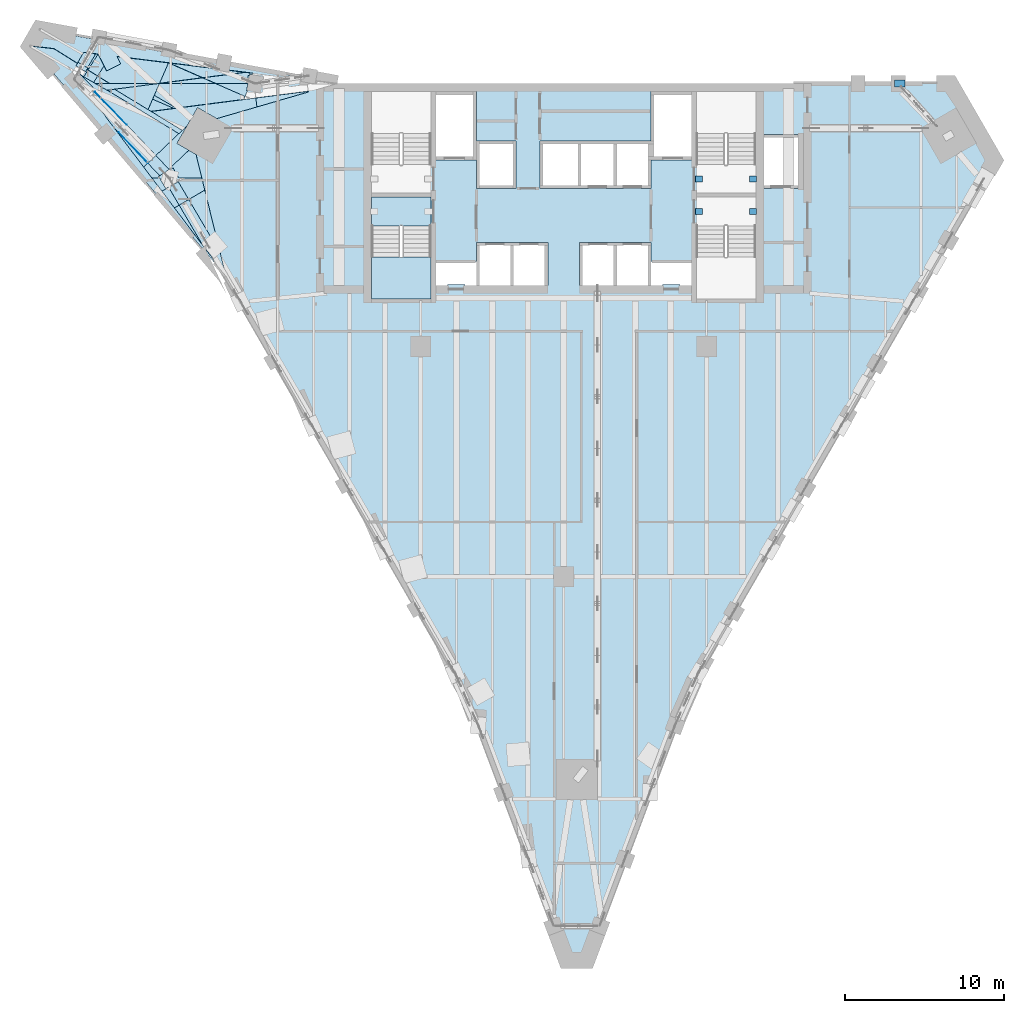
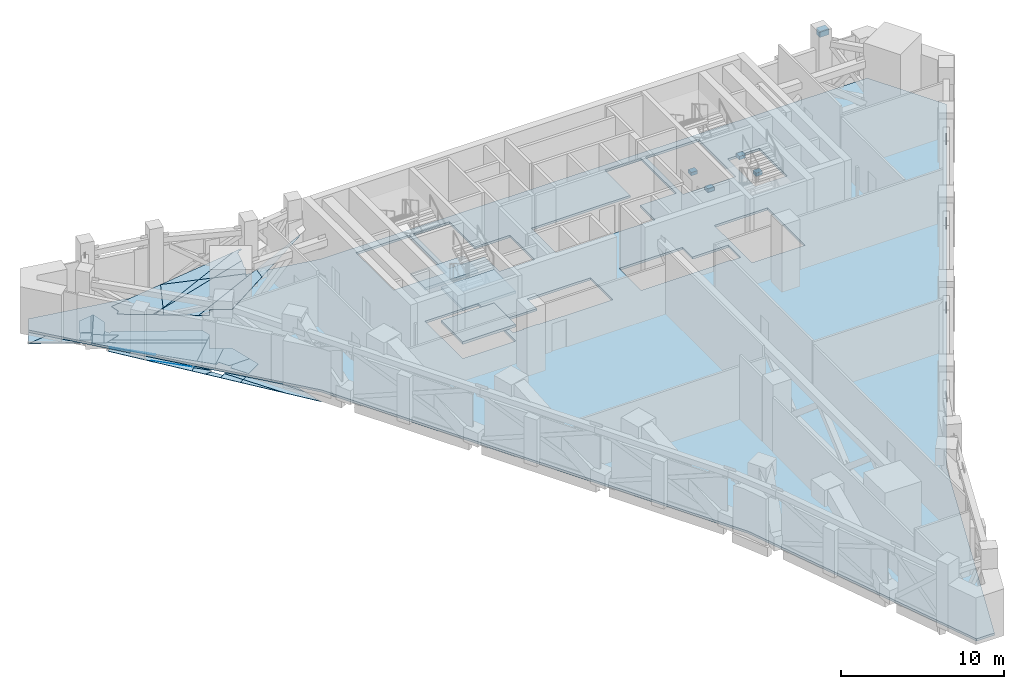
# One storey, part 7 of 22: 37 plates, 5 beams, 4 slabs, 1 element without a shape of its own.
"""IFC4 building model written with IfcOpenShell, lengths in metres."""

from ifc_helpers import new_model, si_unit, direction, frame, origin, origin_2d, place, context, subcontext, project, spatial, polyline, rectangle, outline, extrude, material, layer, layer_set, material_profile, profile_set, type_object, element, aggregate, save


model = new_model("IFC4")

# Units and contexts
model_context = context("Model", 3, precision=1e-05, world=origin(), true_north=direction((0.0, 1.0)))
body_context = subcontext(model_context, "Body", "Model", "MODEL_VIEW")
ifc_project = project(units=[si_unit("LENGTHUNIT", "METRE"), si_unit("AREAUNIT", "SQUARE_METRE"), si_unit("VOLUMEUNIT", "CUBIC_METRE"), si_unit("PLANEANGLEUNIT", "RADIAN"), si_unit("MASSUNIT", "GRAM", prefix="KILO")], contexts=[model_context])

# Site, building, storey
site_placement = place(None, origin())
site = spatial("IfcSite", under=ifc_project, at=site_placement, CompositionType="ELEMENT")
building_placement = place(site_placement, origin())
building = spatial("IfcBuilding", under=site, at=building_placement, Name="Calabash Gate Tower", CompositionType="ELEMENT")
storey_placement = place(building_placement, frame((0.0, 0.0, 191.39990234375)))
storey = spatial("IfcBuildingStorey", under=building, at=storey_placement, Name="L45", CompositionType="ELEMENT", Elevation=191.39990234375)

# Beams
ifc_material_1 = material(Name="Concrete C80/95", Category="concrete")
ifc_material_profile_1 = material_profile(ifc_material_1, rectangle(XDim=0.449951171875, YDim=0.449951171875, at=origin_2d()))
ifc_profile_set_1 = profile_set([ifc_material_profile_1], Name="Concrete C80/95")
beam_type_1 = type_object("IfcBeamType", Name="Column offset link RC 450x450 Concrete C80/95", PredefinedType="BEAM", material=ifc_profile_set_1)
beam_placement = place(storey_placement, frame((20.847900390625, 19.052978515625, 4.60400390625), z_axis=(1.0, 0.0, 0.0), x_axis=(0.0, 1.0, 0.0)))
element("IfcBeam", 1, at=beam_placement, inside=storey, type_object=beam_type_1, Name="Column offset link L45 P24", PredefinedType="BEAM", context=body_context, shape_type="SweptSolid", body=[
    extrude(rectangle(XDim=0.449951171875, YDim=0.449951171875, at=origin_2d()), origin(), (0.0, 0.0, 1.0), 0.630126953125),
])
ifc_material_2 = material(Name="Concrete C60/75", Category="concrete")
ifc_material_profile_2 = material_profile(ifc_material_2, rectangle(XDim=0.39990234375, YDim=0.25, at=origin_2d()))
ifc_profile_set_2 = profile_set([ifc_material_profile_2], Name="Concrete C60/75")
beam_type_2 = type_object("IfcBeamType", Name="Landing corbel RC 400x250 Concrete C60/75", PredefinedType="BEAM", material=ifc_profile_set_2)
for number, where, z_axis, x_axis, name in (
    (2, (8.300048828125, 13.052978515625, 2.174072265625), (1.0, 0.0, 0.0), (0.0, 1.0, 0.0), "Landing corbel ST3-L45/L2 west"),
    (3, (12.14990234375, 13.052978515625, 2.174072265625), (-1.0, 0.0, 0.0), (0.0, -1.0, 0.0), "Landing corbel ST3-L45/L2 east"),
    (4, (8.300048828125, 11.0029296875, 2.174072265625), (1.0, 0.0, 0.0), (0.0, 1.0, 0.0), "Landing corbel ST4-L45/L2 west"),
    (5, (12.14990234375, 11.0029296875, 2.174072265625), (-1.0, 0.0, 0.0), (0.0, -1.0, 0.0), "Landing corbel ST4-L45/L2 east"),
):
    element("IfcBeam", number, at=place(storey_placement, frame(where, z_axis=z_axis, x_axis=x_axis)), inside=storey, type_object=beam_type_2, Name=name, PredefinedType="BEAM", context=body_context, shape_type="SweptSolid", body=[
        extrude(rectangle(XDim=0.39990234375, YDim=0.25, at=origin_2d()), origin(), (0.0, 0.0, 1.0), 0.449951171875),
    ])

# Slab
ifc_material_3 = material(Name="Concrete C40/50", Category="concrete")
ifc_layer_1 = layer(ifc_material_3, 0.169921875)
ifc_layer_set_1 = layer_set([ifc_layer_1], Name="Composite floor slab 170 Concrete C40/50")
slab_type_1 = type_object("IfcSlabType", Name="Composite floor slab 170 Concrete C40/50", PredefinedType="FLOOR", material=ifc_layer_set_1)
slab_1_placement = place(storey_placement, frame((0.0, 0.0, -0.169921875)))
element("IfcSlab", 6, at=slab_1_placement, inside=storey, type_object=slab_type_1, Name="Floor slab L45", PredefinedType="FLOOR", context=body_context, shape_type="SweptSolid", body=[
    extrude(outline(polyline([(7.82177734375, -19.207763671875), (1.455078125, -36.147216796875), (0.1884765625, -36.147216796875), (-6.17822265625, -19.207763671875), (-21.267822265625, 6.92822265625), (-33.59716796875, 21.43115234375), (-32.992431640625, 22.478515625), (-14.267822265625, 19.052490234375), (24.33154296875, 19.052490234375), (27.12158203125, 14.22021484375), (7.82177734375, -19.207763671875)]), holes=[polyline([(-3.25, 9.052490234375), (-5.5, 9.052490234375), (-5.5, 7.8525390625), (-8.050048828125, 7.8525390625), (-8.050048828125, 6.3525390625), (-7.324951171875, 6.3525390625), (-7.324951171875, 6.402587890625), (-6.22509765625, 6.402587890625), (-6.22509765625, 6.3525390625), (-5.5, 6.3525390625), (-3.25, 6.3525390625), (-1.0, 6.3525390625), (-1.0, 9.052490234375), (-3.25, 9.052490234375)]), polyline([(5.5, 6.3525390625), (6.22509765625, 6.3525390625), (6.22509765625, 6.402587890625), (7.324951171875, 6.402587890625), (7.324951171875, 6.3525390625), (8.050048828125, 6.3525390625), (8.050048828125, 7.8525390625), (5.5, 7.8525390625), (5.5, 9.052490234375), (3.25, 9.052490234375), (1.0, 9.052490234375), (1.0, 6.3525390625), (3.25, 6.3525390625), (5.5, 6.3525390625)]), polyline([(-5.5, 12.45263671875), (-3.0, 12.45263671875), (-3.0, 15.45263671875), (-5.5, 15.45263671875), (-5.5, 18.552490234375), (-8.050048828125, 18.552490234375), (-8.050048828125, 14.252685546875), (-5.5, 14.252685546875), (-5.5, 12.45263671875)]), polyline([(-1.5, 15.45263671875), (-1.5, 12.45263671875), (1.0, 12.45263671875), (3.25, 12.45263671875), (5.5, 12.45263671875), (5.5, 14.252685546875), (8.050048828125, 14.252685546875), (8.050048828125, 18.552490234375), (5.5, 18.552490234375), (5.5, 15.45263671875), (3.25, 15.45263671875), (1.0, 15.45263671875), (-1.5, 15.45263671875)]), polyline([(14.85009765625, 15.8525390625), (12.60009765625, 15.8525390625), (12.60009765625, 12.45263671875), (14.85009765625, 12.45263671875), (14.85009765625, 15.8525390625)]), polyline([(-8.35009765625, 18.552490234375), (-12.10009765625, 18.552490234375), (-12.10009765625, 13.95263671875), (-8.35009765625, 13.95263671875), (-8.35009765625, 18.552490234375)]), polyline([(-12.10009765625, 10.1025390625), (-12.10009765625, 5.502685546875), (-8.35009765625, 5.502685546875), (-8.35009765625, 10.1025390625), (-12.10009765625, 10.1025390625)]), polyline([(8.35009765625, 13.95263671875), (12.10009765625, 13.95263671875), (12.10009765625, 18.552490234375), (8.35009765625, 18.552490234375), (8.35009765625, 13.95263671875)]), polyline([(12.10009765625, 5.502685546875), (12.10009765625, 10.1025390625), (8.35009765625, 10.1025390625), (8.35009765625, 5.502685546875), (12.10009765625, 5.502685546875)])]), origin(), (0.0, 0.0, 1.0), 0.169921875),
])

# Plates
ifc_material_4 = material(Name="Dark tinted laminated glass", Category="glass")
ifc_layer_2 = layer(ifc_material_4, 0.030029296875)
ifc_layer_set_2 = layer_set([ifc_layer_2], Name="Dark glass soffit plate 30")
plate_type_1 = type_object("IfcPlateType", Name="Dark glass soffit plate 30", PredefinedType="SHEET", material=ifc_layer_set_2)
plate_1_placement = place(storey_placement, frame((-30.302001953125, 19.4970703125, -0.98291015625), z_axis=(-0.018915126587, -0.004510875591, 0.999810917118), x_axis=(0.521129470374, 0.853367524215, 0.013709256822)))
element("IfcPlate", 7, at=plate_1_placement, inside=storey, type_object=plate_type_1, Name="Dark glass soffit SOF-Z4-NW-01", PredefinedType="SHEET", context=body_context, shape_type="SweptSolid", body=[
    extrude(outline(polyline([(0.0, 0.0), (0.074951171875, 0.0), (0.098876953125, -7.052490234375), (-1.830078125, -6.532470703125), (-0.34814453125, -1.03173828125), (-0.274169921875, -1.051025390625), (0.0, 0.0)])), origin(), (0.0, 0.0, -1.0), 0.030029296875),
])
plate_2_placement = place(storey_placement, frame((-21.902099609375, 19.052978515625, 1.24609375), z_axis=(-0.253554206173, -0.414824148331, 0.873859937572), x_axis=(0.913621310944, -0.399504909873, 0.075444861829)))
element("IfcPlate", 8, at=plate_2_placement, inside=storey, type_object=plate_type_1, Name="Dark glass soffit SOF-Z4-NW-02", PredefinedType="SHEET", context=body_context, shape_type="SweptSolid", body=[
    extrude(outline(polyline([(0.0, 0.0), (2.011962890625, 0.0), (2.0029296875, -0.248046875), (-3.4091796875, -3.8515625), (-3.327392578125, -1.6259765625), (0.0, 0.0)])), origin(), (0.0, 0.0, -1.0), 0.030029296875),
])
plate_3_placement = place(storey_placement, frame((-28.922119140625, 20.12890625, -0.953857421875), z_axis=(-0.019007347876, -0.004643791007, 0.999808559641), x_axis=(0.448792625426, -0.893625191456, 0.004381387703)))
element("IfcPlate", 9, at=plate_3_placement, inside=storey, type_object=plate_type_1, Name="Dark glass soffit SOF-Z4-NW-03", PredefinedType="SHEET", context=body_context, shape_type="SweptSolid", body=[
    extrude(outline(polyline([(0.0, 0.0), (0.314453125, 0.0), (0.31396484375, 0.206298828125), (4.9609375, 3.262451171875), (5.577392578125, 3.121826171875), (5.673583984375, 2.974853515625), (5.792236328125, 2.5830078125), (-0.248291015625, -1.20703125), (-0.7119140625, -0.46826171875), (0.0, 0.0)])), origin(), (0.0, 0.0, -1.0), 0.030029296875),
])
plate_4_placement = place(storey_placement, frame((-23.781005859375, 17.159912109375, -0.869873046875), z_axis=(-0.012267428915, 0.006966819933, 0.999900481852), x_axis=(-0.916870292242, 0.398938682013, -0.014028371174)))
element("IfcPlate", 10, at=plate_4_placement, inside=storey, type_object=plate_type_1, Name="Dark glass soffit SOF-Z4-NW-04", PredefinedType="SHEET", context=body_context, shape_type="SweptSolid", body=[
    extrude(outline(polyline([(0.0, 0.0), (10.705810546875, 0.0), (10.5693359375, -1.202392578125), (5.8994140625, -0.671142578125), (5.65771484375, -0.469970703125), (5.526123046875, -0.628662109375), (0.0, 0.0)])), origin(), (0.0, 0.0, -1.0), 0.030029296875),
])
plate_5_placement = place(storey_placement, frame((-28.118896484375, 20.757080078125, 0.25), z_axis=(-0.253636091443, -0.414570380532, 0.873956596579), x_axis=(0.967238247016, -0.118883006558, 0.224314520844)))
element("IfcPlate", 11, at=plate_5_placement, inside=storey, type_object=plate_type_1, Name="Dark glass soffit SOF-Z4-NW-05", PredefinedType="SHEET", context=body_context, shape_type="SweptSolid", body=[
    extrude(outline(polyline([(0.0, 0.0), (3.33935546875, 0.0), (3.340576171875, -0.0009765625), (2.7744140625, -1.50634765625), (-0.47119140625, -1.950927734375), (-1.255615234375, -1.52978515625), (-0.845703125, -0.7587890625), (-0.672119140625, -1.095947265625), (0.244140625, -0.4775390625), (0.0, 0.0)])), origin(), (0.0, 0.0, -1.0), 0.030029296875),
])
plate_6_placement = place(storey_placement, frame((-21.85107421875, 16.84912109375, 0.215087890625), z_axis=(-0.253653647636, -0.414842051445, 0.873822578899), x_axis=(-0.865795390743, 0.500206378757, -0.013853520097)))
element("IfcPlate", 12, at=plate_6_placement, inside=storey, type_object=plate_type_1, Name="Dark glass soffit SOF-Z4-NW-06", PredefinedType="SHEET", context=body_context, shape_type="SweptSolid", body=[
    extrude(outline(polyline([(0.0, 0.0), (1.38916015625, 0.0), (1.399658203125, 1.657958984375), (1.8408203125, 2.179931640625), (4.11767578125, 2.180908203125), (-1.500732421875, -2.69775390625), (-1.84228515625, -2.181884765625), (0.0, 0.0)])), origin(), (0.0, 0.0, -1.0), 0.030029296875),
])
plate_7_placement = place(storey_placement, frame((-25.681884765625, 14.530029296875, -0.91796875), z_axis=(-0.01922738157, -0.004909751699, 0.99980308168), x_axis=(-0.724877417691, -0.688660058164, -0.017322055622)))
element("IfcPlate", 13, at=plate_7_placement, inside=storey, type_object=plate_type_1, Name="Dark glass soffit SOF-Z4-NW-07", PredefinedType="SHEET", context=body_context, shape_type="SweptSolid", body=[
    extrude(outline(polyline([(0.0, 0.0), (0.660888671875, 0.0), (0.69921875, -2.663818359375), (0.69921875, -3.156005859375), (0.427978515625, -5.53564453125), (0.03955078125, -5.54052734375), (-0.001220703125, -2.667724609375), (0.0, 0.0)])), origin(), (0.0, 0.0, -1.0), 0.030029296875),
])
plate_8_placement = place(storey_placement, frame((-22.7119140625, 8.843994140625, -0.887939453125), z_axis=(-0.01859806424, -0.004437784708, 0.999817192327), x_axis=(-0.506614255434, 0.862154666902, -0.005597010847)))
element("IfcPlate", 14, at=plate_8_placement, inside=storey, type_object=plate_type_1, Name="Dark glass soffit SOF-Z4-NW-08", PredefinedType="SHEET", context=body_context, shape_type="SweptSolid", body=[
    extrude(outline(polyline([(0.0, 0.0), (2.967041015625, 0.0), (2.967041015625, -0.70068359375), (-0.960693359375, -0.69970703125), (-2.383544921875, -0.274169921875), (0.0, 0.0)])), origin(), (0.0, 0.0, -1.0), 0.030029296875),
])
plate_9_placement = place(storey_placement, frame((-25.570068359375, 19.052978515625, 0.18115234375), z_axis=(-0.253882226631, -0.414403057771, 0.873964484811), x_axis=(0.960025393477, 0.002155663594, 0.279904621245)))
element("IfcPlate", 15, at=plate_9_placement, inside=storey, type_object=plate_type_1, Name="Dark glass soffit SOF-Z4-NW-09", PredefinedType="SHEET", context=body_context, shape_type="SweptSolid", body=[
    extrude(outline(polyline([(0.0, 0.0), (0.115966796875, 0.0), (-0.939697265625, -1.961181640625), (-1.0625, -1.9775390625), (-3.382080078125, -0.443115234375), (0.0, 0.0)])), origin(), (0.0, 0.0, -1.0), 0.030029296875),
])
plate_10_placement = place(storey_placement, frame((-21.6220703125, 8.3701171875, -0.869873046875), z_axis=(-0.018988796253, -0.004665099828, 0.999808812954), x_axis=(-0.506384587415, 0.862289601229, -0.005594036193)))
element("IfcPlate", 16, at=plate_10_placement, inside=storey, type_object=plate_type_1, Name="Dark glass soffit SOF-Z4-NW-10", PredefinedType="SHEET", context=body_context, shape_type="SweptSolid", body=[
    extrude(outline(polyline([(0.0, 0.0), (3.927978515625, 0.0), (3.927978515625, -1.1728515625), (0.0, 0.0)])), origin(), (0.0, 0.0, -1.0), 0.030029296875),
])
plate_11_placement = place(storey_placement, frame((-23.15087890625, 14.597900390625, -0.869873046875), z_axis=(-0.018913492944, -0.004547305303, 0.999810782998), x_axis=(0.238070882455, -0.971247778631, 8.6208093e-05)))
element("IfcPlate", 17, at=plate_11_placement, inside=storey, type_object=plate_type_1, Name="Dark glass soffit SOF-Z4-NW-11", PredefinedType="SHEET", context=body_context, shape_type="SweptSolid", body=[
    extrude(outline(polyline([(0.0, 0.0), (1.54541015625, 0.0), (1.202880859375, -1.39794921875), (0.47998046875, -1.60791015625), (0.550537109375, -1.85302734375), (0.497802734375, -1.88427734375), (-0.36279296875, -0.378662109375), (0.0, 0.0)])), origin(), (0.0, 0.0, -1.0), 0.030029296875),
])
plate_12_placement = place(storey_placement, frame((-24.35400390625, 15.2919921875, -0.889892578125), z_axis=(-0.018674438153, -0.004963070069, 0.999813299219), x_axis=(0.866235082708, -0.499448781835, 0.013700212018)))
element("IfcPlate", 18, at=plate_12_placement, inside=storey, type_object=plate_type_1, Name="Dark glass soffit SOF-Z4-NW-12", PredefinedType="SHEET", context=body_context, shape_type="SweptSolid", body=[
    extrude(outline(polyline([(0.0, 0.0), (0.86474609375, 0.0), (0.371826171875, -1.66259765625), (-0.77001953125, -1.323486328125), (0.000732421875, 1.2724609375), (0.0, 0.0)])), origin(), (0.0, 0.0, -1.0), 0.030029296875),
])
plate_13_placement = place(storey_placement, frame((-24.23291015625, 15.905029296875, -0.8837890625), z_axis=(-0.018958294204, -0.004478002472, 0.999810247284), x_axis=(-0.855024812501, 0.518401011599, -0.0138910468)))
element("IfcPlate", 19, at=plate_13_placement, inside=storey, type_object=plate_type_1, Name="Dark glass soffit SOF-Z4-NW-13", PredefinedType="SHEET", context=body_context, shape_type="SweptSolid", body=[
    extrude(outline(polyline([(0.0, 0.0), (7.052490234375, 0.0), (7.052001953125, -0.290283203125), (-0.0791015625, -0.2900390625), (0.0, 0.0)])), origin(), (0.0, 0.0, -1.0), 0.030029296875),
])
plate_14_placement = place(storey_placement, frame((-30.37109375, 19.569091796875, -0.966796875), z_axis=(-0.253743988881, -0.414933721749, 0.873752822406), x_axis=(-0.688820929207, 0.711688295035, 0.137932948189)))
element("IfcPlate", 20, at=plate_14_placement, inside=storey, type_object=plate_type_1, Name="Dark glass soffit SOF-Z4-NW-15", PredefinedType="SHEET", context=body_context, shape_type="SweptSolid", body=[
    extrude(outline(polyline([(0.0, 0.0), (0.55908203125, 0.0), (0.562744140625, 0.184814453125), (3.539794921875, 1.159912109375), (2.42041015625, 0.08056640625), (-0.0087890625, -0.603515625), (-0.165283203125, -0.053466796875), (0.0, 0.0)])), origin(), (0.0, 0.0, -1.0), 0.030029296875),
])
plate_15_placement = place(storey_placement, frame((-25.451904296875, 19.068115234375, 0.22314453125), z_axis=(-0.253558084146, -0.414563495851, 0.873982497463), x_axis=(0.350692435701, 0.802645414525, 0.482467775177)))
element("IfcPlate", 21, at=plate_15_placement, inside=storey, type_object=plate_type_1, Name="Dark glass soffit SOF-Z4-NW-16", PredefinedType="SHEET", context=body_context, shape_type="SweptSolid", body=[
    extrude(outline(polyline([(0.0, 0.0), (1.608154296875, 0.0), (1.693359375, -2.353759765625), (0.0, 0.0)])), origin(), (0.0, 0.0, -1.0), 0.030029296875),
])
plate_16_placement = place(storey_placement, frame((-22.782958984375, 13.096923828125, -0.869873046875), z_axis=(-0.018852514544, -0.004803842784, 0.999810734984), x_axis=(0.238123013443, -0.971234986667, -0.000176476008)))
element("IfcPlate", 22, at=plate_16_placement, inside=storey, type_object=plate_type_1, Name="Dark glass soffit SOF-Z4-NW-18", PredefinedType="SHEET", context=body_context, shape_type="SweptSolid", body=[
    extrude(outline(polyline([(0.0, 0.0), (0.767822265625, 0.0), (1.10400390625, -1.12353515625), (-0.146240234375, -1.49853515625), (-0.267333984375, -1.091064453125), (0.0, 0.0)])), origin(), (0.0, 0.0, -1.0), 0.030029296875),
])
plate_17_placement = place(storey_placement, frame((-19.31494140625, 17.5859375, 1.301025390625), z_axis=(-0.25370038104, -0.414690716834, 0.87388084201), x_axis=(-0.117932202016, 0.909959777036, 0.397574143909)))
element("IfcPlate", 23, at=plate_17_placement, inside=storey, type_object=plate_type_1, Name="Dark glass soffit SOF-Z4-NW-20", PredefinedType="SHEET", context=body_context, shape_type="SweptSolid", body=[
    extrude(outline(polyline([(0.0, 0.0), (0.61865234375, 0.0), (1.077392578125, -3.49462890625), (1.024658203125, -3.494384765625), (0.0, 0.0)])), origin(), (0.0, 0.0, -1.0), 0.030029296875),
])
plate_18_placement = place(storey_placement, frame((-29.47802734375, 19.052978515625, -0.952880859375), z_axis=(-0.253595798451, -0.414695056159, 0.873909137957), x_axis=(0.960381457592, 0.0, 0.27868881555)))
element("IfcPlate", 24, at=plate_18_placement, inside=storey, type_object=plate_type_1, Name="Dark glass soffit SOF-Z4-NW-25", PredefinedType="SHEET", context=body_context, shape_type="SweptSolid", body=[
    extrude(outline(polyline([(0.0, 0.0), (4.069091796875, 0.0), (0.688232421875, -0.45166015625), (0.0, 0.0)])), origin(), (0.0, 0.0, -1.0), 0.030029296875),
])
plate_19_placement = place(storey_placement, frame((-29.31201171875, 20.904052734375, -0.02587890625), z_axis=(-0.253633188741, -0.414624300512, 0.873931859468), x_axis=(0.430182865471, -0.857562283948, -0.282009984584)))
element("IfcPlate", 25, at=plate_19_placement, inside=storey, type_object=plate_type_1, Name="Dark glass soffit SOF-Z4-NW-26", PredefinedType="SHEET", context=body_context, shape_type="SweptSolid", body=[
    extrude(outline(polyline([(0.0, 0.0), (0.8525390625, 0.0), (1.35302734375, -0.7158203125), (0.7666015625, -1.123046875), (-0.00732421875, -0.0146484375), (0.0, 0.0)])), origin(), (0.0, 0.0, -1.0), 0.030029296875),
])
plate_20_placement = place(storey_placement, frame((-25.458984375, 19.052978515625, 0.214111328125), z_axis=(-0.253714656361, -0.413777391272, 0.874309523922), x_axis=(0.370568175634, 0.793344573895, 0.482994424687)))
element("IfcPlate", 26, at=plate_20_placement, inside=storey, type_object=plate_type_1, Name="Dark glass soffit SOF-Z4-NW-27", PredefinedType="SHEET", context=body_context, shape_type="SweptSolid", body=[
    extrude(outline(polyline([(0.0, 0.0), (0.01904296875, 0.0), (1.763671875, -2.316162109375), (1.81640625, -3.2275390625), (0.0, 0.0)])), origin(), (0.0, 0.0, -1.0), 0.030029296875),
])
plate_21_placement = place(storey_placement, frame((-29.659912109375, 20.554931640625, -0.9658203125), z_axis=(-0.01837737083, -0.004381421843, 0.999821521765), x_axis=(-0.518360346916, -0.855059254812, -0.013274844885)))
element("IfcPlate", 27, at=plate_21_placement, inside=storey, type_object=plate_type_1, Name="Dark glass soffit SOF-Z4-NW-28", PredefinedType="SHEET", context=body_context, shape_type="SweptSolid", body=[
    extrude(outline(polyline([(0.0, 0.0), (0.872314453125, 0.0), (0.872314453125, -0.700439453125), (0.015625, -0.70068359375), (0.0, 0.0)])), origin(), (0.0, 0.0, -1.0), 0.030029296875),
])
plate_22_placement = place(storey_placement, frame((-28.362060546875, 16.3369140625, -0.9609375), z_axis=(-0.018574139107, -0.004090814329, 0.999819116938), x_axis=(0.688502745405, -0.725167198986, 0.009823598322)))
element("IfcPlate", 28, at=plate_22_placement, inside=storey, type_object=plate_type_1, Name="Dark glass soffit SOF-Z4-NW-30", PredefinedType="SHEET", context=body_context, shape_type="SweptSolid", body=[
    extrude(outline(polyline([(0.0, 0.0), (3.15625, 0.0), (3.15576171875, -0.359375), (0.0, 0.0)])), origin(), (0.0, 0.0, -1.0), 0.030029296875),
])
plate_23_placement = place(storey_placement, frame((-25.301025390625, 12.278076171875, -0.921875), z_axis=(-0.01958040076, -0.004768070919, 0.999796916081), x_axis=(0.862666848716, 0.50540401839, 0.019305085375)))
element("IfcPlate", 29, at=plate_23_placement, inside=storey, type_object=plate_type_1, Name="Dark glass soffit SOF-Z4-NW-31", PredefinedType="SHEET", context=body_context, shape_type="SweptSolid", body=[
    extrude(outline(polyline([(0.0, 0.0), (0.49267578125, 0.0), (0.494384765625, -1.3046875), (0.15234375, -1.304931640625), (0.0, 0.0)])), origin(), (0.0, 0.0, -1.0), 0.030029296875),
])
plate_24_placement = place(storey_placement, frame((-24.510009765625, 11.22900390625, -0.910888671875), z_axis=(-0.018258903038, -0.004145081285, 0.999824700015), x_axis=(0.862291998861, 0.506096876815, 0.017845446996)))
element("IfcPlate", 30, at=plate_24_placement, inside=storey, type_object=plate_type_1, Name="Dark glass soffit SOF-Z4-NW-32", PredefinedType="SHEET", context=body_context, shape_type="SweptSolid", body=[
    extrude(outline(polyline([(0.0, 0.0), (0.342041015625, 0.0), (0.34375, -2.967041015625), (0.0, 0.0)])), origin(), (0.0, 0.0, -1.0), 0.030029296875),
])
plate_25_placement = place(storey_placement, frame((-26.449951171875, 13.801025390625, -0.935791015625), z_axis=(-0.018830420066, -0.005179021956, 0.999809278318), x_axis=(0.726088774627, 0.687384912318, 0.01723582543)))
element("IfcPlate", 31, at=plate_25_placement, inside=storey, type_object=plate_type_1, Name="Dark glass soffit SOF-Z4-NW-34", PredefinedType="SHEET", context=body_context, shape_type="SweptSolid", body=[
    extrude(outline(polyline([(0.0, 0.0), (0.359375, 0.0), (0.36083984375, -1.083740234375), (0.28759765625, -1.066650390625), (0.25830078125, -1.1904296875), (0.233642578125, -1.190673828125), (-0.098388671875, -0.87646484375), (0.0, 0.0)])), origin(), (0.0, 0.0, -1.0), 0.030029296875),
])
plate_26_placement = place(storey_placement, frame((-25.9189453125, 13.096923828125, -0.929931640625), z_axis=(-0.020469357006, -0.005742913514, 0.999773986643), x_axis=(0.999790473736, 9.78893e-07, 0.020469700185)))
element("IfcPlate", 32, at=plate_26_placement, inside=storey, type_object=plate_type_1, Name="Dark glass soffit SOF-Z4-NW-36", PredefinedType="SHEET", context=body_context, shape_type="SweptSolid", body=[
    extrude(outline(polyline([(0.0, 0.0), (0.48486328125, 0.0), (0.86083984375, -0.65185546875), (1.033203125, -0.552978515625), (1.043212890625, -0.56982421875), (0.617919921875, -0.81884765625), (0.0, 0.0)])), origin(), (0.0, 0.0, -1.0), 0.030029296875),
])
plate_27_placement = place(storey_placement, frame((-29.47802734375, 19.052978515625, -0.952880859375), z_axis=(-0.253591995794, -0.415332319598, 0.873607557183), x_axis=(-0.864982125301, 0.501644577029, -0.01259528675)))
element("IfcPlate", 33, at=plate_27_placement, inside=storey, type_object=plate_type_1, Name="Dark glass soffit SOF-Z4-NW-37", PredefinedType="SHEET", context=body_context, shape_type="SweptSolid", body=[
    extrude(outline(polyline([(0.0, 0.0), (0.143310546875, 0.0), (0.123291015625, -0.541748046875), (-0.76611328125, -0.50634765625), (0.0, 0.0)])), origin(), (0.0, 0.0, -1.0), 0.030029296875),
])
plate_28_placement = place(storey_placement, frame((-29.89697265625, 19.998046875, -0.6259765625), z_axis=(-0.25546497373, -0.413481038372, 0.873939973971), x_axis=(-0.859511534503, 0.511028648557, -0.009467967578)))
element("IfcPlate", 34, at=plate_28_placement, inside=storey, type_object=plate_type_1, Name="Dark glass soffit SOF-Z4-NW-41", PredefinedType="SHEET", context=body_context, shape_type="SweptSolid", body=[
    extrude(outline(polyline([(0.0, 0.0), (0.103759765625, 0.0), (0.103515625, -1.15869140625), (-0.000244140625, -1.210205078125), (-0.03076171875, -1.209716796875), (0.0, 0.0)])), origin(), (0.0, 0.0, -1.0), 0.030029296875),
])
plate_29_placement = place(storey_placement, frame((-27.51806640625, 16.465087890625, -0.94384765625), z_axis=(-0.023840779251, -0.009160673254, 0.999673796451), x_axis=(-0.698823124947, 0.715223035345, -0.010111861852)))
element("IfcPlate", 35, at=plate_29_placement, inside=storey, type_object=plate_type_1, Name="Dark glass soffit SOF-Z4-NW-44", PredefinedType="SHEET", context=body_context, shape_type="SweptSolid", body=[
    extrude(outline(polyline([(0.0, 0.0), (2.873046875, 0.0), (2.873046875, -0.04150390625), (0.0, 0.0)])), origin(), (0.0, 0.0, -1.0), 0.030029296875),
])
plate_30_placement = place(storey_placement, frame((-26.18896484375, 14.048095703125, -0.929931640625), z_axis=(-0.006715054453, 0.007020284201, 0.999952810713), x_axis=(-0.688459195114, 0.725210012106, -0.009714679803)))
element("IfcPlate", 36, at=plate_30_placement, inside=storey, type_object=plate_type_1, Name="Dark glass soffit SOF-Z4-NW-46", PredefinedType="SHEET", context=body_context, shape_type="SweptSolid", body=[
    extrude(outline(polyline([(0.0, 0.0), (2.663818359375, 0.0), (0.000244140625, -0.038818359375), (0.0, 0.0)])), origin(), (0.0, 0.0, -1.0), 0.030029296875),
])
ifc_material_5 = material(Name="Dark bronze anodised aluminium panel", Category="aluminium")
ifc_layer_3 = layer(ifc_material_5, 0.030029296875)
ifc_layer_set_3 = layer_set([ifc_layer_3], Name="Dark soffit panel plate 30")
plate_type_2 = type_object("IfcPlateType", Name="Dark soffit panel plate 30", PredefinedType="SHEET", material=ifc_layer_set_3)
plate_31_placement = place(storey_placement, frame((-20.049072265625, 19.763916015625, 2.12109375), z_axis=(-0.253635840668, -0.414763545647, 0.873865013335), x_axis=(-0.936575322905, -0.120582158146, -0.329069305258)))
element("IfcPlate", 37, at=plate_31_placement, inside=storey, type_object=plate_type_2, Name="Dark soffit panel SOF-Z4-NW-17", PredefinedType="SHEET", context=body_context, shape_type="SweptSolid", body=[
    extrude(outline(polyline([(0.0, 0.0), (2.868896484375, 0.0), (4.829345703125, -1.305419921875), (0.0, 0.0)])), origin(), (0.0, 0.0, -1.0), 0.030029296875),
])
plate_32_placement = place(storey_placement, frame((-19.576904296875, 19.614013671875, 2.18701171875), z_axis=(-0.253923354542, -0.414132068415, 0.874080980189), x_axis=(-0.964521643506, 0.175927886032, -0.19684353717)))
element("IfcPlate", 38, at=plate_32_placement, inside=storey, type_object=plate_type_2, Name="Dark soffit panel SOF-Z4-NW-19", PredefinedType="SHEET", context=body_context, shape_type="SweptSolid", body=[
    extrude(outline(polyline([(0.0, 0.0), (0.2060546875, 0.0), (0.213623046875, 0.082275390625), (0.304443359375, 0.10009765625), (0.268310546875, 0.680908203125), (2.3291015625, 1.0869140625), (3.21142578125, 0.851806640625), (0.494873046875, -0.070556640625), (0.02001953125, -0.100341796875), (0.0, 0.0)])), origin(), (0.0, 0.0, -1.0), 0.030029296875),
])
plate_33_placement = place(storey_placement, frame((-23.611083984375, 11.757080078125, -0.891845703125), z_axis=(-0.018678373563, -0.004688605039, 0.999814550476), x_axis=(-0.861983984152, -0.506598591538, -0.018479126516)))
element("IfcPlate", 39, at=plate_33_placement, inside=storey, type_object=plate_type_2, Name="Dark soffit panel SOF-Z4-NW-21", PredefinedType="SHEET", context=body_context, shape_type="SweptSolid", body=[
    extrude(outline(polyline([(0.0, 0.0), (0.70068359375, 0.0), (0.70068359375, -1.3046875), (0.000732421875, -1.30517578125), (0.0, 0.0)])), origin(), (0.0, 0.0, -1.0), 0.030029296875),
])
plate_34_placement = place(storey_placement, frame((-19.885009765625, 19.052978515625, 1.83203125), z_axis=(-0.253695703595, -0.415018599644, 0.873726531546), x_axis=(-0.160647372816, -0.872655677474, -0.461155603002)))
element("IfcPlate", 40, at=plate_34_placement, inside=storey, type_object=plate_type_2, Name="Dark soffit panel SOF-Z4-NW-22", PredefinedType="SHEET", context=body_context, shape_type="SweptSolid", body=[
    extrude(outline(polyline([(0.0, 0.0), (0.49853515625, 0.0), (0.493896484375, 0.05908203125), (0.930419921875, -0.031005859375), (0.59423828125, -2.0146484375), (0.0, 0.0)])), origin(), (0.0, 0.0, -1.0), 0.030029296875),
])
plate_35_placement = place(storey_placement, frame((-25.443115234375, 13.261962890625, -0.919921875), z_axis=(-0.018875842552, -0.00489268837, 0.999809864008), x_axis=(-0.688242378652, 0.725419357867, -0.009443699508)))
element("IfcPlate", 41, at=plate_35_placement, inside=storey, type_object=plate_type_2, Name="Dark soffit panel SOF-Z4-NW-23", PredefinedType="SHEET", context=body_context, shape_type="SweptSolid", body=[
    extrude(outline(polyline([(0.0, 0.0), (1.083740234375, 0.0), (1.084228515625, -0.69970703125), (-0.10693359375, -0.69970703125), (-0.106689453125, -0.442138671875), (0.0, 0.0)])), origin(), (0.0, 0.0, -1.0), 0.030029296875),
])
plate_36_placement = place(storey_placement, frame((-29.472900390625, 20.924072265625, -0.06396484375), z_axis=(-0.253043888436, -0.414851775726, 0.873994733795), x_axis=(-0.442907426933, -0.753490387685, -0.485886043052)))
element("IfcPlate", 42, at=plate_36_placement, inside=storey, type_object=plate_type_2, Name="Dark soffit panel SOF-Z4-NW-29", PredefinedType="SHEET", context=body_context, shape_type="SweptSolid", body=[
    extrude(outline(polyline([(0.0, 0.0), (1.15869140625, 0.0), (1.162841796875, -0.7001953125), (0.350341796875, -0.699951171875), (0.0, 0.0)])), origin(), (0.0, 0.0, -1.0), 0.030029296875),
])
plate_37_placement = place(storey_placement, frame((-30.220947265625, 19.48193359375, -0.96484375), z_axis=(-0.253893389236, -0.414900307795, 0.87372528949), x_axis=(0.464885868981, 0.739798976173, 0.486393465905)))
element("IfcPlate", 43, at=plate_37_placement, inside=storey, type_object=plate_type_2, Name="Dark soffit panel SOF-Z4-NW-35", PredefinedType="SHEET", context=body_context, shape_type="SweptSolid", body=[
    extrude(outline(polyline([(0.0, 0.0), (0.57177734375, 0.0), (0.570556640625, -0.7138671875), (0.028564453125, -0.7138671875), (0.0, 0.0)])), origin(), (0.0, 0.0, -1.0), 0.030029296875),
])

# Stair, slabs
ifc_material_6 = material(Name="Concrete C40/50", Category="concrete")
stair_type = type_object("IfcStairType", Name="Exit stair 32 risers of 156.2 mm", PredefinedType="HALF_TURN_STAIR", material=ifc_material_6)
stair_placement = place(storey_placement, origin())
stair = element("IfcStair", 44, at=stair_placement, inside=storey, type_object=stair_type, Name="L45 Exit stair ST2", PredefinedType="HALF_TURN_STAIR")
ifc_material_7 = material(Name="Concrete C40/50", Category="concrete")
ifc_layer_4 = layer(ifc_material_7, 0.199951171875)
ifc_layer_set_4 = layer_set([ifc_layer_4], Name="Stair landing SL200")
slab_type_2 = type_object("IfcSlabType", Name="Stair landing SL200", PredefinedType="LANDING", material=ifc_layer_set_4)
slab_2_placement = place(storey_placement, frame((0.0, 0.0, 1.050048828125)))
slab_2 = element("IfcSlab", 45, at=slab_2_placement, type_object=slab_type_2, Name="ST2 landing 1", PredefinedType="LANDING", context=body_context, shape_type="SweptSolid", body=[
    extrude(outline(polyline([(-12.10009765625, 8.149658203125), (-12.10009765625, 5.502685546875), (-8.35009765625, 5.502685546875), (-8.35009765625, 8.149658203125), (-12.10009765625, 8.149658203125)])), origin(), (0.0, 0.0, 1.0), 0.199951171875),
])
slab_3_placement = place(storey_placement, frame((0.0, 0.0, 2.300048828125)))
slab_3 = element("IfcSlab", 46, at=slab_3_placement, type_object=slab_type_2, Name="ST2 landing 2", PredefinedType="LANDING", context=body_context, shape_type="SweptSolid", body=[
    extrude(outline(polyline([(-12.10009765625, 11.902587890625), (-12.10009765625, 10.1025390625), (-8.35009765625, 10.1025390625), (-8.35009765625, 11.902587890625), (-12.10009765625, 11.902587890625)])), origin(), (0.0, 0.0, 1.0), 0.199951171875),
])
slab_4_placement = place(storey_placement, frame((0.0, 0.0, 3.550048828125)))
slab_4 = element("IfcSlab", 47, at=slab_4_placement, type_object=slab_type_2, Name="ST2 landing 3", PredefinedType="LANDING", context=body_context, shape_type="SweptSolid", body=[
    extrude(outline(polyline([(-12.10009765625, 8.149658203125), (-12.10009765625, 5.502685546875), (-8.35009765625, 5.502685546875), (-8.35009765625, 8.149658203125), (-12.10009765625, 8.149658203125)])), origin(), (0.0, 0.0, 1.0), 0.199951171875),
])
aggregate(stair, [slab_2, slab_3, slab_4])

save(model, "model.ifc")
